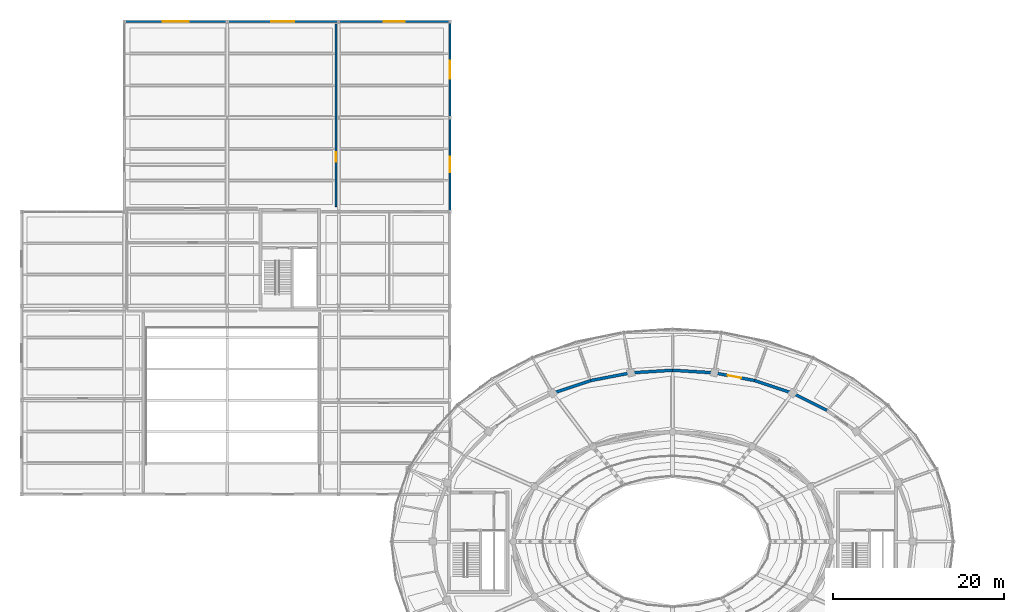
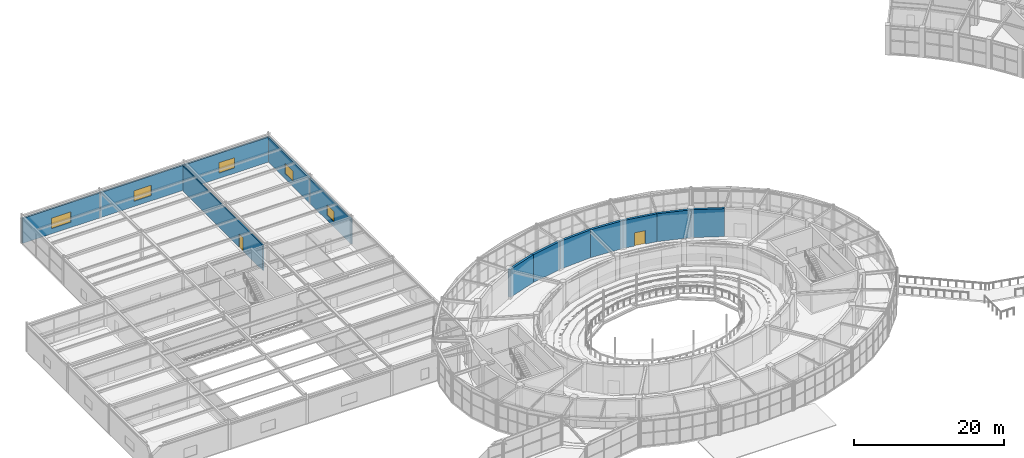
# One storey, part 82 of 100: 13 walls, 5 windows, 2 doors, 7 openings.
"""IFC4 building model written with IfcOpenShell, lengths in metres."""

import ifcopenshell
import ifcopenshell.guid

model = None  # the IFC model being written
_history = None  # IfcOwnerHistory: only IFC2X3 demands one
_inside = {}  # id of a spatial element -> (the spatial element, [elements in it])
_under = {}  # id of a project, library or spatial element -> (it, [spatial elements below it])
_declared = {}  # id of a project -> (the project, [libraries it declares])
_typed = {}  # id of a type object -> (the type object, [elements of that type])
_made_of = {}  # id of a material, layer set ... -> (it, [elements and type objects made of it])


def new_model(schema):
    """Start an empty IFC model of exactly this schema.

    Asked for "IFC4X3", IfcOpenShell would pick the latest addendum, in which some entities
    have other attributes; the version numbers below select the first issue.
    IFC2X3 requires an IfcOwnerHistory on every rooted entity: one is made here for all.
    """
    global model, _history
    if schema == "IFC4X3":
        model = ifcopenshell.file(schema_version=(4, 3, 0, 0))
    else:
        model = ifcopenshell.file(schema=schema)
    _inside.clear()
    _under.clear()
    _declared.clear()
    _typed.clear()
    _made_of.clear()
    _history = None
    if model.schema == "IFC2X3":
        org = make("IfcOrganization", Name="unknown")
        user = make(
            "IfcPersonAndOrganization",
            ThePerson=make("IfcPerson", FamilyName="unknown"),
            TheOrganization=org,
        )
        app = make(
            "IfcApplication",
            ApplicationDeveloper=org,
            Version="unknown",
            ApplicationFullName="unknown",
            ApplicationIdentifier="unknown",
        )
        _history = make(
            "IfcOwnerHistory",
            OwningUser=user,
            OwningApplication=app,
            ChangeAction="ADDED",
            CreationDate=0,
        )
    return model


def make(cls, **values):
    """One entity of the class cls with the attributes given. An attribute that is None is left unset."""
    return model.create_entity(
        cls, **{name: value for name, value in values.items() if value is not None}
    )


def rooted(cls, **values):
    """An entity with a GlobalId (a new one), such as an element, a storey or a relation."""
    return make(cls, GlobalId=ifcopenshell.guid.new(), OwnerHistory=_history, **values)


def si_unit(unit_type, name, prefix=None):
    """IfcSIUnit, for example si_unit("LENGTHUNIT", "METRE", prefix="MILLI")."""
    return make("IfcSIUnit", UnitType=unit_type, Prefix=prefix, Name=name)


def assignment(units):
    """IfcUnitAssignment: the units of a project."""
    return None if units is None else make("IfcUnitAssignment", Units=units)


def point(xyz):
    """IfcCartesianPoint."""
    return None if xyz is None else make("IfcCartesianPoint", Coordinates=xyz)


def direction(xyz):
    """IfcDirection."""
    return None if xyz is None else make("IfcDirection", DirectionRatios=xyz)


def frame(location, z_axis=None, x_axis=None):
    """IfcAxis2Placement3D, a coordinate frame: its origin and axes. An axis left out is left unset."""
    return make(
        "IfcAxis2Placement3D",
        Location=point(location),
        Axis=direction(z_axis),
        RefDirection=direction(x_axis),
    )


def frame_2d(location, x_axis=None):
    """IfcAxis2Placement2D, a coordinate frame in the plane: its origin and x axis."""
    return make(
        "IfcAxis2Placement2D", Location=point(location), RefDirection=direction(x_axis)
    )


def origin():
    """The frame at (0, 0, 0) with its axes left unset."""
    return frame((0.0, 0.0, 0.0))


def place(relative_to, where):
    """IfcLocalPlacement: puts the frame where relative to a parent placement (None: the world)."""
    return make(
        "IfcLocalPlacement", PlacementRelTo=relative_to, RelativePlacement=where
    )


def context(
    kind, dimensions, precision=None, world=None, true_north=None, identifier=None
):
    """IfcGeometricRepresentationContext, for example the 3D "Model" context."""
    return make(
        "IfcGeometricRepresentationContext",
        ContextIdentifier=identifier,
        ContextType=kind,
        CoordinateSpaceDimension=dimensions,
        Precision=precision,
        WorldCoordinateSystem=world,
        TrueNorth=true_north,
    )


def subcontext(parent, identifier, kind, view, scale=None):
    """IfcGeometricRepresentationSubContext, for example "Body" below "Model"."""
    return make(
        "IfcGeometricRepresentationSubContext",
        ContextIdentifier=identifier,
        ContextType=kind,
        ParentContext=parent,
        TargetScale=scale,
        TargetView=view,
    )


def project(units=None, contexts=None):
    """IfcProject with its units and contexts."""
    return rooted(
        "IfcProject",
        Name="project",
        RepresentationContexts=contexts,
        UnitsInContext=assignment(units),
    )


def spatial(cls, under=None, at=None, **own):
    """A site, building, storey or space (cls), placed at a placement, below another one or the project."""
    s = rooted(cls, ObjectPlacement=at, **own)
    if under is not None:
        _under.setdefault(under.id(), (under, []))[1].append(s)
    return s


def profile(cls, at=None, kind="AREA", **sizes):
    """A parametric profile (cls). Its sizes go by their IFC names, for example OverallWidth=200.0."""
    return make(cls, ProfileType=kind, Position=at, **sizes)


def rectangle(**sizes):
    """IfcRectangleProfileDef."""
    return profile("IfcRectangleProfileDef", **sizes)


def extrude(swept, where, along, depth):
    """IfcExtrudedAreaSolid: the profile swept, set in the frame where, extruded along a direction by depth."""
    return make(
        "IfcExtrudedAreaSolid",
        SweptArea=swept,
        Position=where,
        ExtrudedDirection=direction(along),
        Depth=depth,
    )


def shape(context_of_items, identifier, shape_type, items):
    """IfcShapeRepresentation: the items that make up one representation, for example the "Body"."""
    return make(
        "IfcShapeRepresentation",
        ContextOfItems=context_of_items,
        RepresentationIdentifier=identifier,
        RepresentationType=shape_type,
        Items=items,
    )


def material(Name=None, Category=None):
    """IfcMaterial."""
    return make("IfcMaterial", Name=Name, Category=Category)


def layer(
    of_material, thickness, ventilated=None, Name=None, Category=None, Priority=None
):
    """IfcMaterialLayer: one layer of a wall or slab, of a material (None: an air gap)."""
    return make(
        "IfcMaterialLayer",
        Material=of_material,
        LayerThickness=thickness,
        IsVentilated=ventilated,
        Name=Name,
        Category=Category,
        Priority=Priority,
    )


def layer_set(layers, Name=None):
    """IfcMaterialLayerSet."""
    return make("IfcMaterialLayerSet", MaterialLayers=layers, LayerSetName=Name)


def made_of(thing, what):
    """Note that an element or type object is made of a material, layer set ...; save() writes the relation."""
    if what is not None:
        _made_of.setdefault(what.id(), (what, []))[1].append(thing)
    return thing


def type_object(cls, material=None, **own):
    """A type object (cls), such as IfcWallType, which elements share."""
    return made_of(rooted(cls, **own), material)


def element(
    cls,
    number,
    at=None,
    inside=None,
    cuts=None,
    type_object=None,
    material=None,
    context=None,
    identifier="Body",
    shape_type=None,
    held_by="IfcProductDefinitionShape",
    body=None,
    shapes=None,
    **own,
):
    """One element of the class cls, such as IfcWall. Its Tag is "e" and its number.

    at: its placement. inside: the storey or other place that contains it. cuts: it is an
    opening in that element (IfcRelVoidsElement). A single representation is given by context,
    identifier, shape_type and body (its items); several are given by shapes. held_by: the class
    of the entity that holds the representations. save() writes the other relations.
    """
    e = rooted(cls, Tag="e%d" % number, ObjectPlacement=at, **own)
    if body is not None:
        shapes = [shape(context, identifier, shape_type, body)]
    if shapes is not None:
        e.Representation = make(held_by, Representations=shapes)
    if inside is not None:
        _inside.setdefault(inside.id(), (inside, []))[1].append(e)
    if cuts is not None:
        rooted(
            "IfcRelVoidsElement", RelatingBuildingElement=cuts, RelatedOpeningElement=e
        )
    if type_object is not None:
        _typed.setdefault(type_object.id(), (type_object, []))[1].append(e)
    return made_of(e, material)


def fill(opening, filler):
    """IfcRelFillsElement: the door or window that sits in an opening."""
    return rooted(
        "IfcRelFillsElement",
        RelatingOpeningElement=opening,
        RelatedBuildingElement=filler,
    )


def aggregate(whole, parts):
    """IfcRelAggregates: a whole, such as a stair, and the parts it consists of."""
    return rooted("IfcRelAggregates", RelatingObject=whole, RelatedObjects=parts)


def save(model, path):
    """Write the relations noted so far, then the file.

    IfcRelAggregates (storeys below a building ...), IfcRelContainedInSpatialStructure (elements
    in a storey), IfcRelDefinesByType, IfcRelAssociatesMaterial and IfcRelDeclares: one each for
    every whole, place, type object, material and project.
    """
    for whole, parts in _under.values():
        aggregate(whole, parts)
    for where, things in _inside.values():
        rooted(
            "IfcRelContainedInSpatialStructure",
            RelatedElements=things,
            RelatingStructure=where,
        )
    for kind, things in _typed.values():
        rooted("IfcRelDefinesByType", RelatedObjects=things, RelatingType=kind)
    for what, things in _made_of.values():
        rooted("IfcRelAssociatesMaterial", RelatedObjects=things, RelatingMaterial=what)
    for by, libraries in _declared.values():
        rooted("IfcRelDeclares", RelatingContext=by, RelatedDefinitions=libraries)
    model.write(path)


model = new_model("IFC4")

# Units and contexts
model_context = context("Model", 3, precision=1e-05, world=origin(), true_north=direction((0.0, 1.0)))
body_context = subcontext(model_context, "Body", "Model", "MODEL_VIEW")
ifc_project = project(units=[si_unit("LENGTHUNIT", "METRE"), si_unit("AREAUNIT", "SQUARE_METRE"), si_unit("VOLUMEUNIT", "CUBIC_METRE"), si_unit("PLANEANGLEUNIT", "RADIAN"), si_unit("MASSUNIT", "GRAM", prefix="KILO")], contexts=[model_context])

# Site, building, storey
site_placement = place(None, origin())
site = spatial("IfcSite", under=ifc_project, at=site_placement, CompositionType="ELEMENT")
building_placement = place(site_placement, origin())
building = spatial("IfcBuilding", under=site, at=building_placement, Name="Tarnveldt Headland Concert Hall", CompositionType="ELEMENT")
storey_placement = place(building_placement, frame((0.0, 0.0, 4.800048828125)))
storey = spatial("IfcBuildingStorey", under=building, at=storey_placement, Name="L01", CompositionType="ELEMENT", Elevation=4.800048828125)

# Walls
ifc_material_1 = material(Name="Concrete C40/50", Category="concrete")
ifc_layer_1 = layer(ifc_material_1, 0.35009765625, Name="Concrete C40/50", Category="concrete")
ifc_layer_set_1 = layer_set([ifc_layer_1], Name="Concrete C40/50")
wall_type_1 = type_object("IfcWallType", Name="WL-CR350", PredefinedType="SHEAR", material=ifc_layer_set_1)
wall_1_placement = place(storey_placement, frame((101.498046875, 69.82080078125, 0.0), z_axis=(0.0, 0.0, 1.0), x_axis=(-0.894361644392, 0.447344664705, 0.0)))
element("IfcWall", 1, at=wall_1_placement, inside=storey, type_object=wall_type_1, Name="Symphony drum shear wall L01-6", PredefinedType="SHEAR", context=body_context, shape_type="SweptSolid", body=[
    extrude(rectangle(XDim=4.47021484375, YDim=0.35009765625, at=frame_2d((2.235107421875, 0.0))), origin(), (0.0, 0.0, 1.0), 4.5400390625),
])
wall_2_placement = place(storey_placement, frame((97.5, 71.820556640625, 0.0), z_axis=(0.0, 0.0, 1.0), x_axis=(-0.948751350732, 0.316023534699, 0.0)))
element("IfcWall", 2, at=wall_2_placement, inside=storey, type_object=wall_type_1, Name="Symphony drum shear wall L01-7", PredefinedType="SHEAR", context=body_context, shape_type="SweptSolid", body=[
    extrude(rectangle(XDim=4.662353515625, YDim=0.35009765625, at=frame_2d((2.3310546875, 0.0))), origin(), (0.0, 0.0, 1.0), 4.5400390625),
])

# Wall, opening, door
wall_3_placement = place(storey_placement, frame((93.07666015625, 73.2939453125, 0.0), z_axis=(0.0, 0.0, 1.0), x_axis=(-0.982172578083, 0.187981453503, 0.0)))
wall_3 = element("IfcWall", 3, at=wall_3_placement, inside=storey, type_object=wall_type_1, Name="Symphony drum shear wall L01-8", PredefinedType="SHEAR", context=body_context, shape_type="SweptSolid", body=[
    extrude(rectangle(XDim=4.80029296875, YDim=0.35009765625, at=frame_2d((2.400146484375, 0.0))), origin(), (0.0, 0.0, 1.0), 4.5400390625),
])
opening_1_placement = place(wall_3_placement, frame((1.625, 0.0, 0.0)))
opening_1 = element("IfcOpeningElement", 4, at=opening_1_placement, cuts=wall_3, Name="Opening AD-O014", PredefinedType="OPENING", context=body_context, shape_type="SweptSolid", body=[
    extrude(rectangle(XDim=1.550048828125, YDim=2.179931640625, at=frame_2d((0.77490234375, 1.08984375))), frame((0.0, 0.18505859375, 0.0), z_axis=(0.0, -1.0, 0.0), x_axis=(1.0, 0.0, 0.0)), (0.0, 0.0, 1.0), 0.3701171875),
])
ifc_material_2 = material(Name="Treated East African mvule hardwood", Category="wood")
door_type_1 = type_object("IfcDoorType", Name="DR-AC155", OperationType="NOTDEFINED", PredefinedType="DOOR", material=ifc_material_2)
door_1_placement = place(opening_1_placement, origin())
door_1 = element("IfcDoor", 5, at=door_1_placement, inside=storey, type_object=door_type_1, Name="Drum concourse acoustic door L01-8", OperationType="SINGLE_SWING_RIGHT", OverallHeight=2.179931640625, OverallWidth=1.550048828125, PredefinedType="DOOR", context=body_context, shape_type="SweptSolid", body=[
    extrude(rectangle(XDim=1.550048828125, YDim=2.179931640625, at=frame_2d((0.77490234375, 1.08984375))), frame((0.0, 0.02490234375, 0.0), z_axis=(0.0, -1.0, 0.0), x_axis=(1.0, 0.0, 0.0)), (0.0, 0.0, 1.0), 0.050048828125),
])
fill(opening_1, door_1)

# Walls
for number, where, z_axis, x_axis, name in (
    (6, (88.362060546875, 74.1962890625, 0.0), (0.0, 0.0, 1.0), (-0.998054722924, 0.06234396562, 0.0), "Symphony drum shear wall L01-9"),
    (7, (83.5, 74.5, 0.0), (0.0, 0.0, 1.0), (-0.998054722924, -0.06234396562, 0.0), "Symphony drum shear wall L01-10"),
):
    element("IfcWall", number, at=place(storey_placement, frame(where, z_axis=z_axis, x_axis=x_axis)), inside=storey, type_object=wall_type_1, Name=name, PredefinedType="SHEAR", context=body_context, shape_type="SweptSolid", body=[
        extrude(rectangle(XDim=4.87158203125, YDim=0.35009765625, at=frame_2d((2.435791015625, 0.0))), origin(), (0.0, 0.0, 1.0), 4.5400390625),
    ])
wall_4_placement = place(storey_placement, frame((78.637939453125, 74.1962890625, 0.0), z_axis=(0.0, 0.0, 1.0), x_axis=(-0.982172578083, -0.187981453503, 0.0)))
element("IfcWall", 8, at=wall_4_placement, inside=storey, type_object=wall_type_1, Name="Symphony drum shear wall L01-11", PredefinedType="SHEAR", context=body_context, shape_type="SweptSolid", body=[
    extrude(rectangle(XDim=4.80029296875, YDim=0.35009765625, at=frame_2d((2.400146484375, 0.0))), origin(), (0.0, 0.0, 1.0), 4.5400390625),
])
wall_5_placement = place(storey_placement, frame((73.92333984375, 73.2939453125, 0.0), z_axis=(0.0, 0.0, 1.0), x_axis=(-0.948751350732, -0.316023534699, 0.0)))
element("IfcWall", 9, at=wall_5_placement, inside=storey, type_object=wall_type_1, Name="Symphony drum shear wall L01-12", PredefinedType="SHEAR", context=body_context, shape_type="SweptSolid", body=[
    extrude(rectangle(XDim=4.662353515625, YDim=0.35009765625, at=frame_2d((2.3310546875, 0.0))), origin(), (0.0, 0.0, 1.0), 4.5400390625),
])

# Wall, opening, window
ifc_material_3 = material(Name="Coral-toned precast concrete C40/50", Category="concrete")
ifc_layer_2 = layer(ifc_material_3, 0.25, Name="Coral-toned precast concrete C40/50", Category="concrete")
ifc_layer_set_2 = layer_set([ifc_layer_2], Name="Coral-toned precast concrete C40/50")
wall_type_2 = type_object("IfcWallType", Name="WL-EX250", PredefinedType="SOLIDWALL", material=ifc_layer_set_2)
wall_6_placement = place(storey_placement, frame((57.5, 103.97998046875, 0.0), z_axis=(0.0, 0.0, 1.0), x_axis=(0.0, -1.0, 0.0)))
wall_6 = element("IfcWall", 10, at=wall_6_placement, inside=storey, type_object=wall_type_2, Name="External precast wall L01-287", PredefinedType="SOLIDWALL", context=body_context, shape_type="SweptSolid", body=[
    extrude(rectangle(XDim=10.9599609375, YDim=0.25, at=frame_2d((5.47998046875, 0.0))), origin(), (0.0, 0.0, 1.0), 4.077880859375),
])
opening_2_placement = place(wall_6_placement, frame((4.580078125, 0.0, 0.85009765625)))
opening_2 = element("IfcOpeningElement", 11, at=opening_2_placement, cuts=wall_6, Name="Opening W-R122", PredefinedType="OPENING", context=body_context, shape_type="SweptSolid", body=[
    extrude(rectangle(XDim=1.800048828125, YDim=1.699951171875, at=frame_2d((0.89990234375, 0.85009765625))), frame((0.0, 0.135009765625, 0.0), z_axis=(0.0, -1.0, 0.0), x_axis=(1.0, 0.0, 0.0)), (0.0, 0.0, 1.0), 0.27001953125),
])
ifc_material_4 = material(Name="Acoustic laminated low-iron double glazing", Category="glass")
window_type_1 = type_object("IfcWindowType", Name="WN-12", PartitioningType="SINGLE_PANEL", PredefinedType="WINDOW", material=ifc_material_4)
window_1_placement = place(opening_2_placement, origin())
window_1 = element("IfcWindow", 12, at=window_1_placement, inside=storey, type_object=window_type_1, Name="Rehearsal wing acoustic window L01-E4", OverallHeight=1.699951171875, OverallWidth=1.800048828125, PartitioningType="SINGLE_PANEL", PredefinedType="WINDOW", context=body_context, shape_type="SweptSolid", body=[
    extrude(rectangle(XDim=1.800048828125, YDim=1.699951171875, at=frame_2d((0.89990234375, 0.85009765625))), frame((0.0, 0.030029296875, 0.0), z_axis=(0.0, -1.0, 0.0), x_axis=(1.0, 0.0, 0.0)), (0.0, 0.0, 1.0), 0.06005859375),
])
fill(opening_2, window_1)

wall_7_placement = place(storey_placement, frame((57.5, 115.179931640625, 0.0), z_axis=(0.0, 0.0, 1.0), x_axis=(0.0, -1.0, 0.0)))
wall_7 = element("IfcWall", 13, at=wall_7_placement, inside=storey, type_object=wall_type_2, Name="External precast wall L01-288", PredefinedType="SOLIDWALL", context=body_context, shape_type="SweptSolid", body=[
    extrude(rectangle(XDim=11.159912109375, YDim=0.25, at=frame_2d((5.580078125, 0.0))), origin(), (0.0, 0.0, 1.0), 4.077880859375),
])
opening_3_placement = place(wall_7_placement, frame((4.530029296875, 0.0, 0.85009765625)))
opening_3 = element("IfcOpeningElement", 14, at=opening_3_placement, cuts=wall_7, Name="Opening W-R123", PredefinedType="OPENING", context=body_context, shape_type="SweptSolid", body=[
    extrude(rectangle(XDim=2.10009765625, YDim=1.699951171875, at=frame_2d((1.050048828125, 0.85009765625))), frame((0.0, 0.135009765625, 0.0), z_axis=(0.0, -1.0, 0.0), x_axis=(1.0, 0.0, 0.0)), (0.0, 0.0, 1.0), 0.27001953125),
])
window_type_2 = type_object("IfcWindowType", Name="WN-13", PartitioningType="SINGLE_PANEL", PredefinedType="WINDOW", material=ifc_material_4)
window_2_placement = place(opening_3_placement, origin())
window_2 = element("IfcWindow", 15, at=window_2_placement, inside=storey, type_object=window_type_2, Name="Rehearsal wing acoustic window L01-E5", OverallHeight=1.699951171875, OverallWidth=2.10009765625, PartitioningType="SINGLE_PANEL", PredefinedType="WINDOW", context=body_context, shape_type="SweptSolid", body=[
    extrude(rectangle(XDim=2.10009765625, YDim=1.699951171875, at=frame_2d((1.050048828125, 0.85009765625))), frame((0.0, 0.030029296875, 0.0), z_axis=(0.0, -1.0, 0.0), x_axis=(1.0, 0.0, 0.0)), (0.0, 0.0, 1.0), 0.06005859375),
])
fill(opening_3, window_2)

wall_8_placement = place(storey_placement, frame((44.52001953125, 115.199951171875, 0.0), z_axis=(0.0, 0.0, 1.0), x_axis=(1.0, 0.0, 0.0)))
wall_8 = element("IfcWall", 16, at=wall_8_placement, inside=storey, type_object=wall_type_2, Name="External precast wall L01-289", PredefinedType="SOLIDWALL", context=body_context, shape_type="SweptSolid", body=[
    extrude(rectangle(XDim=12.9599609375, YDim=0.25, at=frame_2d((6.47998046875, 0.0))), origin(), (0.0, 0.0, 1.0), 4.077880859375),
])
opening_4_placement = place(wall_8_placement, frame((5.280029296875, 0.0, 0.85009765625)))
opening_4 = element("IfcOpeningElement", 17, at=opening_4_placement, cuts=wall_8, Name="Opening W-R124", PredefinedType="OPENING", context=body_context, shape_type="SweptSolid", body=[
    extrude(rectangle(XDim=2.39990234375, YDim=1.699951171875, at=frame_2d((1.199951171875, 0.85009765625))), frame((0.0, 0.135009765625, 0.0), z_axis=(0.0, -1.0, 0.0), x_axis=(1.0, 0.0, 0.0)), (0.0, 0.0, 1.0), 0.27001953125),
])
window_type_3 = type_object("IfcWindowType", Name="WN-14", PartitioningType="SINGLE_PANEL", PredefinedType="WINDOW", material=ifc_material_4)
window_3_placement = place(opening_4_placement, origin())
window_3 = element("IfcWindow", 18, at=window_3_placement, inside=storey, type_object=window_type_3, Name="Rehearsal wing acoustic window L01-N0", OverallHeight=1.699951171875, OverallWidth=2.39990234375, PartitioningType="SINGLE_PANEL", PredefinedType="WINDOW", context=body_context, shape_type="SweptSolid", body=[
    extrude(rectangle(XDim=2.39990234375, YDim=1.699951171875, at=frame_2d((1.199951171875, 0.85009765625))), frame((0.0, 0.030029296875, 0.0), z_axis=(0.0, -1.0, 0.0), x_axis=(1.0, 0.0, 0.0)), (0.0, 0.0, 1.0), 0.06005859375),
])
fill(opening_4, window_3)

wall_9_placement = place(storey_placement, frame((31.52001953125, 115.199951171875, 0.0), z_axis=(0.0, 0.0, 1.0), x_axis=(1.0, 0.0, 0.0)))
wall_9 = element("IfcWall", 19, at=wall_9_placement, inside=storey, type_object=wall_type_2, Name="External precast wall L01-290", PredefinedType="SOLIDWALL", context=body_context, shape_type="SweptSolid", body=[
    extrude(rectangle(XDim=12.9599609375, YDim=0.25, at=frame_2d((6.47998046875, 0.0))), origin(), (0.0, 0.0, 1.0), 4.077880859375),
])
opening_5_placement = place(wall_9_placement, frame((5.1298828125, 0.0, 0.85009765625)))
opening_5 = element("IfcOpeningElement", 20, at=opening_5_placement, cuts=wall_9, Name="Opening W-R125", PredefinedType="OPENING", context=body_context, shape_type="SweptSolid", body=[
    extrude(rectangle(XDim=2.699951171875, YDim=1.699951171875, at=frame_2d((1.35009765625, 0.85009765625))), frame((0.0, 0.135009765625, 0.0), z_axis=(0.0, -1.0, 0.0), x_axis=(1.0, 0.0, 0.0)), (0.0, 0.0, 1.0), 0.27001953125),
])
window_type_4 = type_object("IfcWindowType", Name="WN-15", PartitioningType="SINGLE_PANEL", PredefinedType="WINDOW", material=ifc_material_4)
window_4_placement = place(opening_5_placement, origin())
window_4 = element("IfcWindow", 21, at=window_4_placement, inside=storey, type_object=window_type_4, Name="Rehearsal wing acoustic window L01-N1", OverallHeight=1.699951171875, OverallWidth=2.699951171875, PartitioningType="SINGLE_PANEL", PredefinedType="WINDOW", context=body_context, shape_type="SweptSolid", body=[
    extrude(rectangle(XDim=2.699951171875, YDim=1.699951171875, at=frame_2d((1.35009765625, 0.85009765625))), frame((0.0, 0.030029296875, 0.0), z_axis=(0.0, -1.0, 0.0), x_axis=(1.0, 0.0, 0.0)), (0.0, 0.0, 1.0), 0.06005859375),
])
fill(opening_5, window_4)

wall_10_placement = place(storey_placement, frame((19.52001953125, 115.199951171875, 0.0), z_axis=(0.0, 0.0, 1.0), x_axis=(1.0, 0.0, 0.0)))
wall_10 = element("IfcWall", 22, at=wall_10_placement, inside=storey, type_object=wall_type_2, Name="External precast wall L01-291", PredefinedType="SOLIDWALL", context=body_context, shape_type="SweptSolid", body=[
    extrude(rectangle(XDim=11.9599609375, YDim=0.25, at=frame_2d((5.97998046875, 0.0))), origin(), (0.0, 0.0, 1.0), 4.077880859375),
])
opening_6_placement = place(wall_10_placement, frame((4.47998046875, 0.0, 0.85009765625)))
opening_6 = element("IfcOpeningElement", 23, at=opening_6_placement, cuts=wall_10, Name="Opening W-R126", PredefinedType="OPENING", context=body_context, shape_type="SweptSolid", body=[
    extrude(rectangle(XDim=3.0, YDim=1.699951171875, at=frame_2d((1.5, 0.85009765625))), frame((0.0, 0.135009765625, 0.0), z_axis=(0.0, -1.0, 0.0), x_axis=(1.0, 0.0, 0.0)), (0.0, 0.0, 1.0), 0.27001953125),
])
window_type_5 = type_object("IfcWindowType", Name="WN-16", PartitioningType="SINGLE_PANEL", PredefinedType="WINDOW", material=ifc_material_4)
window_5_placement = place(opening_6_placement, origin())
window_5 = element("IfcWindow", 24, at=window_5_placement, inside=storey, type_object=window_type_5, Name="Rehearsal wing acoustic window L01-N2", OverallHeight=1.699951171875, OverallWidth=3.0, PartitioningType="SINGLE_PANEL", PredefinedType="WINDOW", context=body_context, shape_type="SweptSolid", body=[
    extrude(rectangle(XDim=3.0, YDim=1.699951171875, at=frame_2d((1.5, 0.85009765625))), frame((0.0, 0.030029296875, 0.0), z_axis=(0.0, -1.0, 0.0), x_axis=(1.0, 0.0, 0.0)), (0.0, 0.0, 1.0), 0.06005859375),
])
fill(opening_6, window_5)

# Wall, opening, door
ifc_material_5 = material(Name="Acoustic multi-layer gypsum and mineral-wool partition", Category="gypsum")
ifc_layer_3 = layer(ifc_material_5, 0.18505859375, Name="Acoustic multi-layer gypsum and mineral-wool partition", Category="gypsum")
ifc_layer_set_3 = layer_set([ifc_layer_3], Name="Acoustic multi-layer gypsum and mineral-wool partition")
wall_type_3 = type_object("IfcWallType", Name="WL-PT185", PredefinedType="PARTITIONING", material=ifc_layer_set_3)
wall_11_placement = place(storey_placement, frame((44.199951171875, 93.60009765625, 0.0), z_axis=(0.0, 0.0, 1.0), x_axis=(0.0, 1.0, 0.0)))
wall_11 = element("IfcWall", 25, at=wall_11_placement, inside=storey, type_object=wall_type_3, Name="Interior acoustic partition L01-86", PredefinedType="PARTITIONING", context=body_context, shape_type="SweptSolid", body=[
    extrude(rectangle(XDim=21.2998046875, YDim=0.18505859375, at=frame_2d((10.64990234375, 0.0))), origin(), (0.0, 0.0, 1.0), 4.079833984375),
])
opening_7_placement = place(wall_11_placement, frame((5.22998046875, 0.0, 0.0)))
opening_7 = element("IfcOpeningElement", 26, at=opening_7_placement, cuts=wall_11, Name="Opening D-L01-108", PredefinedType="OPENING", context=body_context, shape_type="SweptSolid", body=[
    extrude(rectangle(XDim=1.10009765625, YDim=2.14990234375, at=frame_2d((0.550048828125, 1.074951171875))), frame((0.0, 0.1025390625, 0.0), z_axis=(0.0, -1.0, 0.0), x_axis=(1.0, 0.0, 0.0)), (0.0, 0.0, 1.0), 0.205078125),
])
door_type_2 = type_object("IfcDoorType", Name="DR-RM110", OperationType="NOTDEFINED", PredefinedType="DOOR", material=ifc_material_2)
door_2_placement = place(opening_7_placement, origin())
door_2 = element("IfcDoor", 27, at=door_2_placement, inside=storey, type_object=door_type_2, Name="Interior room door L01-108", OperationType="SINGLE_SWING_RIGHT", OverallHeight=2.14990234375, OverallWidth=1.10009765625, PredefinedType="DOOR", context=body_context, shape_type="SweptSolid", body=[
    extrude(rectangle(XDim=1.10009765625, YDim=2.14990234375, at=frame_2d((0.550048828125, 1.074951171875))), frame((0.0, 0.02490234375, 0.0), z_axis=(0.0, -1.0, 0.0), x_axis=(1.0, 0.0, 0.0)), (0.0, 0.0, 1.0), 0.050048828125),
])
fill(opening_7, door_2)

save(model, "model.ifc")
